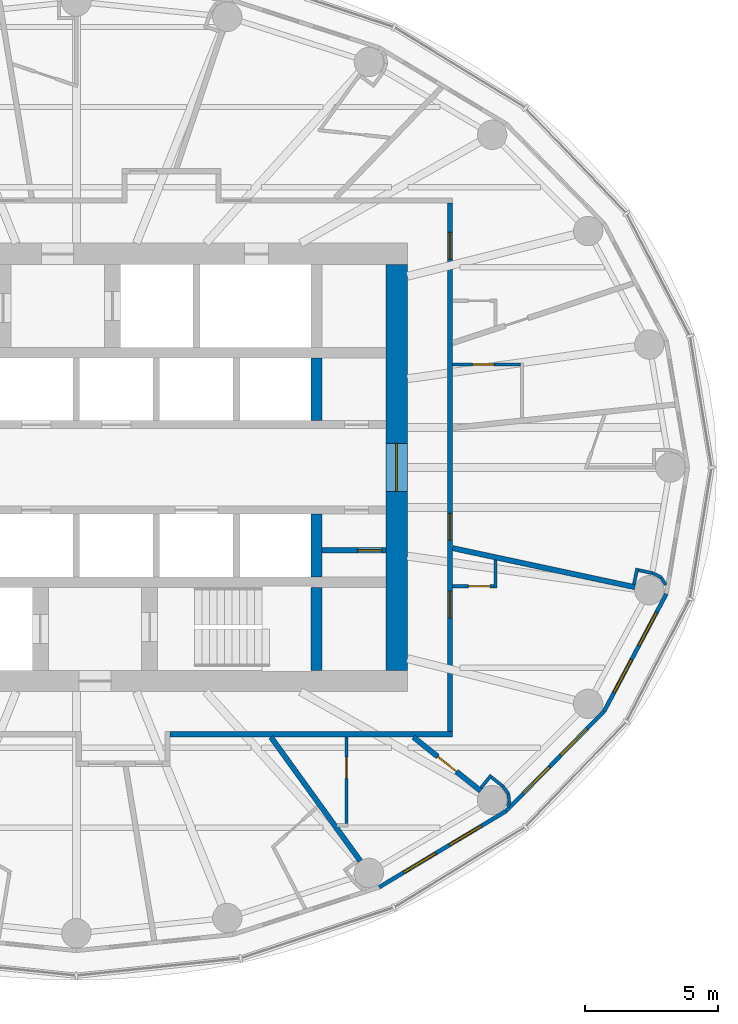
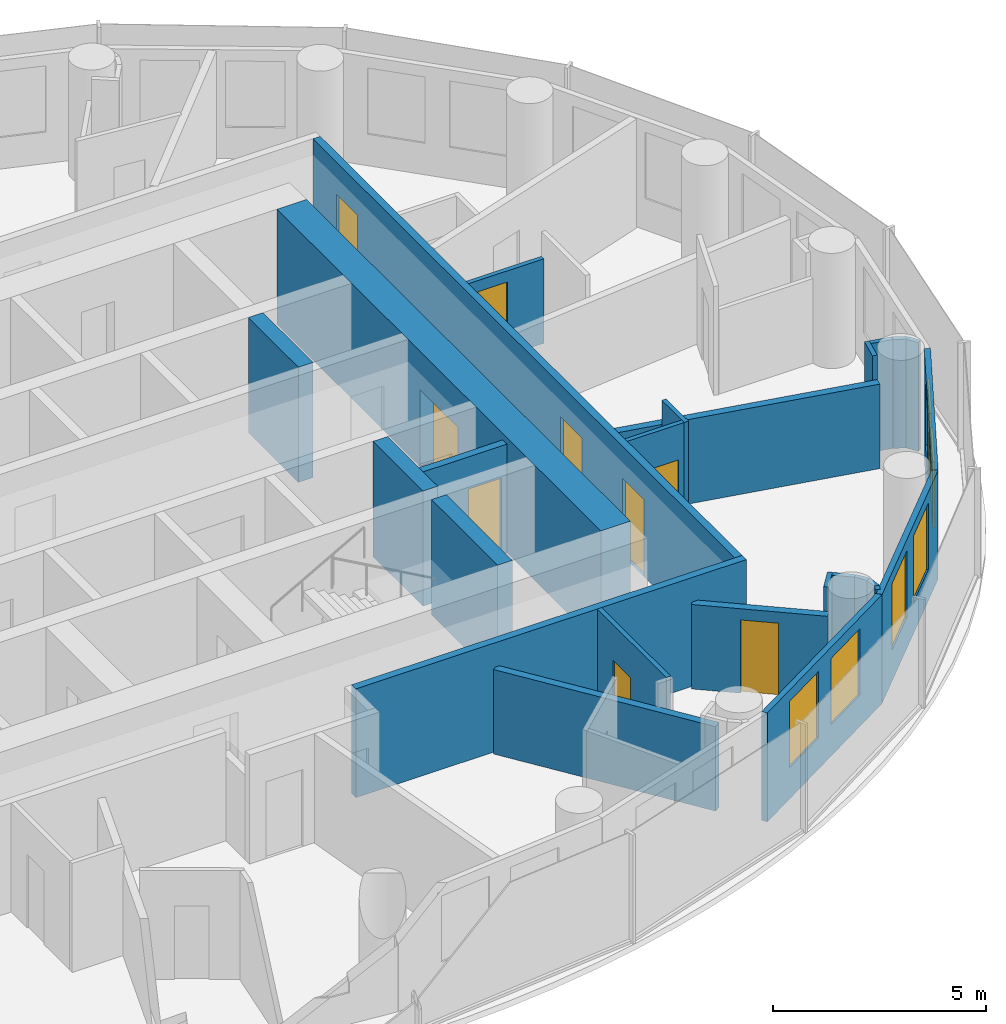
# One storey, part 10 of 14: 26 walls, 9 doors, 6 windows, 15 openings.
"""IFC4 building model written with IfcOpenShell, lengths in metres."""

from ifc_helpers import new_model, si_unit, direction, frame, frame_2d, origin, place, context, subcontext, project, spatial, rectangle, extrude, material, layer, layer_set, type_object, element, fill, save


model = new_model("IFC4")

# Units and contexts
model_context = context("Model", 3, precision=1e-05, world=origin(), true_north=direction((0.0, 1.0)))
body_context = subcontext(model_context, "Body", "Model", "MODEL_VIEW")
ifc_project = project(units=[si_unit("LENGTHUNIT", "METRE"), si_unit("AREAUNIT", "SQUARE_METRE"), si_unit("VOLUMEUNIT", "CUBIC_METRE"), si_unit("PLANEANGLEUNIT", "RADIAN"), si_unit("MASSUNIT", "GRAM", prefix="KILO")], contexts=[model_context])

# Site, building, storey
site_placement = place(None, origin())
site = spatial("IfcSite", under=ifc_project, at=site_placement, CompositionType="ELEMENT")
building_placement = place(site_placement, origin())
building = spatial("IfcBuilding", under=site, at=building_placement, Name="Hankou Lantern Tower", CompositionType="ELEMENT")
storey_placement = place(building_placement, frame((0.0, 0.0, 176.39990234375)))
storey = spatial("IfcBuildingStorey", under=building, at=storey_placement, Name="L47", CompositionType="ELEMENT", Elevation=176.39990234375)

# Wall, opening, door
ifc_material_1 = material(Name="Concrete C60", Category="concrete")
ifc_layer_1 = layer(ifc_material_1, 0.800048828125)
ifc_layer_set_1 = layer_set([ifc_layer_1], Name="Concrete C60")
wall_type_1 = type_object("IfcWallType", Name="CW2 CORE WALL 800", PredefinedType="SHEAR", material=ifc_layer_set_1)
wall_1_placement = place(storey_placement, frame((12.0, -7.60009765625, 0.0), z_axis=(0.0, 0.0, 1.0), x_axis=(0.0, 1.0, 0.0)))
wall_1 = element("IfcWall", 1, at=wall_1_placement, inside=storey, type_object=wall_type_1, Name="Core wall east L47", PredefinedType="SHEAR", context=body_context, shape_type="SweptSolid", body=[
    extrude(rectangle(XDim=15.2001953125, YDim=0.800048828125, at=frame_2d((7.60009765625, 0.0))), origin(), (0.0, 0.0, 1.0), 3.300048828125),
])
opening_1_placement = place(wall_1_placement, frame((6.699951171875, 0.0, 0.0)))
opening_1 = element("IfcOpeningElement", 2, at=opening_1_placement, cuts=wall_1, Name="Opening D6", PredefinedType="OPENING", context=body_context, shape_type="SweptSolid", body=[
    extrude(rectangle(XDim=1.800048828125, YDim=2.199951171875, at=frame_2d((0.89990234375, 1.10009765625))), frame((0.0, 0.409912109375, 0.0), z_axis=(0.0, -1.0, 0.0), x_axis=(1.0, 0.0, 0.0)), (0.0, 0.0, 1.0), 0.820068359375),
])
ifc_material_2 = material(Name="Steel door leaf", Category="steel")
door_type_1 = type_object("IfcDoorType", Name="D6 LIFT LOBBY DOOR 1800X2200", OperationType="DOUBLE_DOOR_DOUBLE_SWING", PredefinedType="DOOR", material=ifc_material_2)
door_1_placement = place(opening_1_placement, origin())
door_1 = element("IfcDoor", 3, at=door_1_placement, inside=storey, type_object=door_type_1, Name="Lift lobby east door", OperationType="DOUBLE_DOOR_DOUBLE_SWING", OverallHeight=2.199951171875, OverallWidth=1.800048828125, PredefinedType="DOOR", context=body_context, shape_type="SweptSolid", body=[
    extrude(rectangle(XDim=1.800048828125, YDim=2.199951171875, at=frame_2d((0.89990234375, 1.10009765625))), frame((0.0, 0.02490234375, 0.0), z_axis=(0.0, -1.0, 0.0), x_axis=(1.0, 0.0, 0.0)), (0.0, 0.0, 1.0), 0.050048828125),
])
fill(opening_1, door_1)

# Walls
ifc_material_3 = material(Name="Concrete C60", Category="concrete")
ifc_layer_2 = layer(ifc_material_3, 0.39990234375)
ifc_layer_set_2 = layer_set([ifc_layer_2], Name="Concrete C60")
wall_type_2 = type_object("IfcWallType", Name="CW4 CORE CROSS WALL 400", PredefinedType="SHEAR", material=ifc_layer_set_2)
for number, where, z_axis, x_axis, name in (
    (4, (9.0, 1.75, 0.0), (0.0, 0.0, 1.0), (0.0, 1.0, 0.0), "Core strip wall L47"),
    (5, (9.0, -4.10009765625, 0.0), (0.0, 0.0, 1.0), (0.0, 1.0, 0.0), "Core strip wall L47"),
):
    element("IfcWall", number, at=place(storey_placement, frame(where, z_axis=z_axis, x_axis=x_axis)), inside=storey, type_object=wall_type_2, Name=name, PredefinedType="SHEAR", context=body_context, shape_type="SweptSolid", body=[
        extrude(rectangle(XDim=2.35009765625, YDim=0.39990234375, at=frame_2d((1.175048828125, 0.0))), origin(), (0.0, 0.0, 1.0), 3.300048828125),
    ])
wall_2_placement = place(storey_placement, frame((9.0, -7.60009765625, 0.0), z_axis=(0.0, 0.0, 1.0), x_axis=(0.0, 1.0, 0.0)))
element("IfcWall", 6, at=wall_2_placement, inside=storey, type_object=wall_type_2, Name="Core strip wall L47", PredefinedType="SHEAR", context=body_context, shape_type="SweptSolid", body=[
    extrude(rectangle(XDim=3.10009765625, YDim=0.39990234375, at=frame_2d((1.550048828125, 0.0))), origin(), (0.0, 0.0, 1.0), 3.300048828125),
])

# Wall, openings, windows
ifc_material_4 = material(Name="Aluminium spandrel panel on steel studs", Category="steel")
ifc_layer_3 = layer(ifc_material_4, 0.14990234375)
ifc_layer_set_3 = layer_set([ifc_layer_3], Name="Aluminium spandrel panel on steel studs")
wall_type_3 = type_object("IfcWallType", Name="EW1 INNER SKIN WALL 150", PredefinedType="ELEMENTEDWALL", material=ifc_layer_set_3)
wall_3_placement = place(storey_placement, frame((11.346435546875, -15.72216796875, 0.0), z_axis=(0.0, 0.0, 1.0), x_axis=(0.857695199231, 0.514158482587, 0.0)))
wall_3 = element("IfcWall", 7, at=wall_3_placement, inside=storey, type_object=wall_type_3, Name="Inner skin R21-R22 L47", PredefinedType="ELEMENTEDWALL", context=body_context, shape_type="SweptSolid", body=[
    extrude(rectangle(XDim=5.5361328125, YDim=0.14990234375, at=frame_2d((2.76806640625, 0.0))), origin(), (0.0, 0.0, 1.0), 3.1201171875),
])
opening_2_placement = place(wall_3_placement, frame((1.068115234375, 0.0, 0.89990234375)))
opening_2 = element("IfcOpeningElement", 8, at=opening_2_placement, cuts=wall_3, Name="Opening W3", PredefinedType="OPENING", context=body_context, shape_type="SweptSolid", body=[
    extrude(rectangle(XDim=1.39990234375, YDim=1.89990234375, at=frame_2d((0.699951171875, 0.949951171875))), frame((0.0, 0.0849609375, 0.0), z_axis=(0.0, -1.0, 0.0), x_axis=(1.0, 0.0, 0.0)), (0.0, 0.0, 1.0), 0.169921875),
])
opening_3_placement = place(wall_3_placement, frame((3.068115234375, 0.0, 0.89990234375)))
opening_3 = element("IfcOpeningElement", 9, at=opening_3_placement, cuts=wall_3, Name="Opening W3", PredefinedType="OPENING", context=body_context, shape_type="SweptSolid", body=[
    extrude(rectangle(XDim=1.39990234375, YDim=1.89990234375, at=frame_2d((0.699951171875, 0.949951171875))), frame((0.0, 0.0849609375, 0.0), z_axis=(0.0, -1.0, 0.0), x_axis=(1.0, 0.0, 0.0)), (0.0, 0.0, 1.0), 0.169921875),
])
ifc_material_5 = material(Name="Aluminium framed double glazed window", Category="aluminium")
window_type = type_object("IfcWindowType", Name="W3 GUEST ROOM WINDOW 1400X1900", PartitioningType="DOUBLE_PANEL_VERTICAL", PredefinedType="WINDOW", material=ifc_material_5)
window_1_placement = place(opening_2_placement, origin())
window_1 = element("IfcWindow", 10, at=window_1_placement, inside=storey, type_object=window_type, Name="Window R21.1 L47", OverallHeight=1.89990234375, OverallWidth=1.39990234375, PartitioningType="SINGLE_PANEL", PredefinedType="WINDOW", context=body_context, shape_type="SweptSolid", body=[
    extrude(rectangle(XDim=1.39990234375, YDim=1.89990234375, at=frame_2d((0.699951171875, 0.949951171875))), frame((0.0, 0.030029296875, 0.0), z_axis=(0.0, -1.0, 0.0), x_axis=(1.0, 0.0, 0.0)), (0.0, 0.0, 1.0), 0.06005859375),
])
fill(opening_2, window_1)
window_2_placement = place(opening_3_placement, origin())
window_2 = element("IfcWindow", 11, at=window_2_placement, inside=storey, type_object=window_type, Name="Window R21.2 L47", OverallHeight=1.89990234375, OverallWidth=1.39990234375, PartitioningType="SINGLE_PANEL", PredefinedType="WINDOW", context=body_context, shape_type="SweptSolid", body=[
    extrude(rectangle(XDim=1.39990234375, YDim=1.89990234375, at=frame_2d((0.699951171875, 0.949951171875))), frame((0.0, 0.030029296875, 0.0), z_axis=(0.0, -1.0, 0.0), x_axis=(1.0, 0.0, 0.0)), (0.0, 0.0, 1.0), 0.06005859375),
])
fill(opening_3, window_2)

wall_4_placement = place(storey_placement, frame((16.0947265625, -12.875732421875, 0.0), z_axis=(0.0, 0.0, 1.0), x_axis=(0.700727467776, 0.71342905457, 0.0)))
wall_4 = element("IfcWall", 12, at=wall_4_placement, inside=storey, type_object=wall_type_3, Name="Inner skin R22-R23 L47", PredefinedType="ELEMENTEDWALL", context=body_context, shape_type="SweptSolid", body=[
    extrude(rectangle(XDim=5.247314453125, YDim=0.14990234375, at=frame_2d((2.62353515625, 0.0))), origin(), (0.0, 0.0, 1.0), 3.1201171875),
])
opening_4_placement = place(wall_4_placement, frame((0.923583984375, 0.0, 0.89990234375)))
opening_4 = element("IfcOpeningElement", 13, at=opening_4_placement, cuts=wall_4, Name="Opening W3", PredefinedType="OPENING", context=body_context, shape_type="SweptSolid", body=[
    extrude(rectangle(XDim=1.39990234375, YDim=1.89990234375, at=frame_2d((0.699951171875, 0.949951171875))), frame((0.0, 0.0849609375, 0.0), z_axis=(0.0, -1.0, 0.0), x_axis=(1.0, 0.0, 0.0)), (0.0, 0.0, 1.0), 0.169921875),
])
opening_5_placement = place(wall_4_placement, frame((2.923583984375, 0.0, 0.89990234375)))
opening_5 = element("IfcOpeningElement", 14, at=opening_5_placement, cuts=wall_4, Name="Opening W3", PredefinedType="OPENING", context=body_context, shape_type="SweptSolid", body=[
    extrude(rectangle(XDim=1.39990234375, YDim=1.89990234375, at=frame_2d((0.699951171875, 0.949951171875))), frame((0.0, 0.0849609375, 0.0), z_axis=(0.0, -1.0, 0.0), x_axis=(1.0, 0.0, 0.0)), (0.0, 0.0, 1.0), 0.169921875),
])
window_3_placement = place(opening_4_placement, origin())
window_3 = element("IfcWindow", 15, at=window_3_placement, inside=storey, type_object=window_type, Name="Window R22.1 L47", OverallHeight=1.89990234375, OverallWidth=1.39990234375, PartitioningType="SINGLE_PANEL", PredefinedType="WINDOW", context=body_context, shape_type="SweptSolid", body=[
    extrude(rectangle(XDim=1.39990234375, YDim=1.89990234375, at=frame_2d((0.699951171875, 0.949951171875))), frame((0.0, 0.030029296875, 0.0), z_axis=(0.0, -1.0, 0.0), x_axis=(1.0, 0.0, 0.0)), (0.0, 0.0, 1.0), 0.06005859375),
])
fill(opening_4, window_3)
window_4_placement = place(opening_5_placement, origin())
window_4 = element("IfcWindow", 16, at=window_4_placement, inside=storey, type_object=window_type, Name="Window R22.2 L47", OverallHeight=1.89990234375, OverallWidth=1.39990234375, PartitioningType="SINGLE_PANEL", PredefinedType="WINDOW", context=body_context, shape_type="SweptSolid", body=[
    extrude(rectangle(XDim=1.39990234375, YDim=1.89990234375, at=frame_2d((0.699951171875, 0.949951171875))), frame((0.0, 0.030029296875, 0.0), z_axis=(0.0, -1.0, 0.0), x_axis=(1.0, 0.0, 0.0)), (0.0, 0.0, 1.0), 0.06005859375),
])
fill(opening_5, window_4)

wall_5_placement = place(storey_placement, frame((19.771728515625, -9.132080078125, 0.0), z_axis=(0.0, 0.0, 1.0), x_axis=(0.468428906714, 0.883501193748, 0.0)))
wall_5 = element("IfcWall", 17, at=wall_5_placement, inside=storey, type_object=wall_type_3, Name="Inner skin R23-R24 L47", PredefinedType="ELEMENTEDWALL", context=body_context, shape_type="SweptSolid", body=[
    extrude(rectangle(XDim=4.9736328125, YDim=0.14990234375, at=frame_2d((2.48681640625, 0.0))), origin(), (0.0, 0.0, 1.0), 3.1201171875),
])
opening_6_placement = place(wall_5_placement, frame((0.786865234375, 0.0, 0.89990234375)))
opening_6 = element("IfcOpeningElement", 18, at=opening_6_placement, cuts=wall_5, Name="Opening W3", PredefinedType="OPENING", context=body_context, shape_type="SweptSolid", body=[
    extrude(rectangle(XDim=1.39990234375, YDim=1.89990234375, at=frame_2d((0.699951171875, 0.949951171875))), frame((0.0, 0.0849609375, 0.0), z_axis=(0.0, -1.0, 0.0), x_axis=(1.0, 0.0, 0.0)), (0.0, 0.0, 1.0), 0.169921875),
])
opening_7_placement = place(wall_5_placement, frame((2.786865234375, 0.0, 0.89990234375)))
opening_7 = element("IfcOpeningElement", 19, at=opening_7_placement, cuts=wall_5, Name="Opening W3", PredefinedType="OPENING", context=body_context, shape_type="SweptSolid", body=[
    extrude(rectangle(XDim=1.39990234375, YDim=1.89990234375, at=frame_2d((0.699951171875, 0.949951171875))), frame((0.0, 0.0849609375, 0.0), z_axis=(0.0, -1.0, 0.0), x_axis=(1.0, 0.0, 0.0)), (0.0, 0.0, 1.0), 0.169921875),
])
window_5_placement = place(opening_6_placement, origin())
window_5 = element("IfcWindow", 20, at=window_5_placement, inside=storey, type_object=window_type, Name="Window R23.1 L47", OverallHeight=1.89990234375, OverallWidth=1.39990234375, PartitioningType="SINGLE_PANEL", PredefinedType="WINDOW", context=body_context, shape_type="SweptSolid", body=[
    extrude(rectangle(XDim=1.39990234375, YDim=1.89990234375, at=frame_2d((0.699951171875, 0.949951171875))), frame((0.0, 0.030029296875, 0.0), z_axis=(0.0, -1.0, 0.0), x_axis=(1.0, 0.0, 0.0)), (0.0, 0.0, 1.0), 0.06005859375),
])
fill(opening_6, window_5)
window_6_placement = place(opening_7_placement, origin())
window_6 = element("IfcWindow", 21, at=window_6_placement, inside=storey, type_object=window_type, Name="Window R23.2 L47", OverallHeight=1.89990234375, OverallWidth=1.39990234375, PartitioningType="SINGLE_PANEL", PredefinedType="WINDOW", context=body_context, shape_type="SweptSolid", body=[
    extrude(rectangle(XDim=1.39990234375, YDim=1.89990234375, at=frame_2d((0.699951171875, 0.949951171875))), frame((0.0, 0.030029296875, 0.0), z_axis=(0.0, -1.0, 0.0), x_axis=(1.0, 0.0, 0.0)), (0.0, 0.0, 1.0), 0.06005859375),
])
fill(opening_7, window_6)

# Walls
ifc_material_6 = material(Name="Masonry lightweight concrete block", Category="masonry")
ifc_layer_4 = layer(ifc_material_6, 0.199951171875)
ifc_layer_set_4 = layer_set([ifc_layer_4], Name="Masonry lightweight concrete block")
wall_type_4 = type_object("IfcWallType", Name="IW1 GUEST ROOM PARTY WALL 200", PredefinedType="PARTITIONING", material=ifc_layer_set_4)
wall_6_placement = place(storey_placement, frame((7.2890625, -10.10009765625, 0.0), z_axis=(0.0, 0.0, 1.0), x_axis=(0.585222595178, -0.810872686735, 0.0)))
element("IfcWall", 22, at=wall_6_placement, inside=storey, type_object=wall_type_4, Name="Party wall R21", PredefinedType="PARTITIONING", context=body_context, shape_type="SweptSolid", body=[
    extrude(rectangle(XDim=5.722412109375, YDim=0.199951171875, at=frame_2d((2.861328125, 0.0))), origin(), (0.0, 0.0, 1.0), 2.420166015625),
])
wall_7_placement = place(storey_placement, frame((14.10009765625, -3.0224609375, 0.0), z_axis=(0.0, 0.0, 1.0), x_axis=(0.977790639684, -0.209584028367, 0.0)))
element("IfcWall", 23, at=wall_7_placement, inside=storey, type_object=wall_type_4, Name="Party wall R24", PredefinedType="PARTITIONING", context=body_context, shape_type="SweptSolid", body=[
    extrude(rectangle(XDim=6.97998046875, YDim=0.199951171875, at=frame_2d((3.489990234375, 0.0))), origin(), (0.0, 0.0, 1.0), 2.420166015625),
])

# Wall, openings, doors
ifc_material_7 = material(Name="Masonry lightweight concrete block", Category="masonry")
ifc_layer_5 = layer(ifc_material_7, 0.199951171875)
ifc_layer_set_5 = layer_set([ifc_layer_5], Name="Masonry lightweight concrete block")
wall_type_5 = type_object("IfcWallType", Name="IW2 CORRIDOR WALL 200", PredefinedType="PARTITIONING", material=ifc_layer_set_5)
wall_8_placement = place(storey_placement, frame((14.0, -9.89990234375, 0.0), z_axis=(0.0, 0.0, 1.0), x_axis=(0.0, 1.0, 0.0)))
wall_8 = element("IfcWall", 24, at=wall_8_placement, inside=storey, type_object=wall_type_5, Name="Corridor wall east", PredefinedType="PARTITIONING", context=body_context, shape_type="SweptSolid", body=[
    extrude(rectangle(XDim=19.7998046875, YDim=0.199951171875, at=frame_2d((9.89990234375, 0.0))), origin(), (0.0, 0.0, 1.0), 3.1201171875),
])
opening_8_placement = place(wall_8_placement, frame((4.267578125, 0.0, 0.0)))
opening_8 = element("IfcOpeningElement", 25, at=opening_8_placement, cuts=wall_8, Name="Opening D2", PredefinedType="OPENING", context=body_context, shape_type="SweptSolid", body=[
    extrude(rectangle(XDim=1.0, YDim=2.199951171875, at=frame_2d((0.5, 1.10009765625))), frame((0.0, 0.10986328125, 0.0), z_axis=(0.0, -1.0, 0.0), x_axis=(1.0, 0.0, 0.0)), (0.0, 0.0, 1.0), 0.219970703125),
])
opening_9_placement = place(wall_8_placement, frame((7.177490234375, 0.0, 0.0)))
opening_9 = element("IfcOpeningElement", 26, at=opening_9_placement, cuts=wall_8, Name="Opening D1", PredefinedType="OPENING", context=body_context, shape_type="SweptSolid", body=[
    extrude(rectangle(XDim=1.0, YDim=2.199951171875, at=frame_2d((0.5, 1.10009765625))), frame((0.0, 0.10986328125, 0.0), z_axis=(0.0, -1.0, 0.0), x_axis=(1.0, 0.0, 0.0)), (0.0, 0.0, 1.0), 0.219970703125),
])
opening_10_placement = place(wall_8_placement, frame((17.701416015625, 0.0, 0.0)))
opening_10 = element("IfcOpeningElement", 27, at=opening_10_placement, cuts=wall_8, Name="Opening D2", PredefinedType="OPENING", context=body_context, shape_type="SweptSolid", body=[
    extrude(rectangle(XDim=1.0, YDim=2.199951171875, at=frame_2d((0.5, 1.10009765625))), frame((0.0, 0.10986328125, 0.0), z_axis=(0.0, -1.0, 0.0), x_axis=(1.0, 0.0, 0.0)), (0.0, 0.0, 1.0), 0.219970703125),
])
ifc_material_8 = material(Name="Steel door leaf", Category="steel")
door_type_2 = type_object("IfcDoorType", Name="D1 GUEST ROOM DOOR 1000X2200", OperationType="SINGLE_SWING_LEFT", PredefinedType="DOOR", material=ifc_material_8)
door_2_placement = place(opening_9_placement, origin())
door_2 = element("IfcDoor", 28, at=door_2_placement, inside=storey, type_object=door_type_2, Name="Guest room door 4706", OperationType="SINGLE_SWING_LEFT", OverallHeight=2.199951171875, OverallWidth=1.0, PredefinedType="DOOR", context=body_context, shape_type="SweptSolid", body=[
    extrude(rectangle(XDim=1.0, YDim=2.199951171875, at=frame_2d((0.5, 1.10009765625))), frame((0.0, 0.02490234375, 0.0), z_axis=(0.0, -1.0, 0.0), x_axis=(1.0, 0.0, 0.0)), (0.0, 0.0, 1.0), 0.050048828125),
])
fill(opening_9, door_2)
ifc_material_9 = material(Name="Steel door leaf", Category="steel")
door_type_3 = type_object("IfcDoorType", Name="D2 SUITE DOOR 1000X2200", OperationType="SINGLE_SWING_LEFT", PredefinedType="DOOR", material=ifc_material_9)
door_3_placement = place(opening_8_placement, origin())
door_3 = element("IfcDoor", 29, at=door_3_placement, inside=storey, type_object=door_type_3, Name="Suite door 4705C", OperationType="SINGLE_SWING_LEFT", OverallHeight=2.199951171875, OverallWidth=1.0, PredefinedType="DOOR", context=body_context, shape_type="SweptSolid", body=[
    extrude(rectangle(XDim=1.0, YDim=2.199951171875, at=frame_2d((0.5, 1.10009765625))), frame((0.0, 0.02490234375, 0.0), z_axis=(0.0, -1.0, 0.0), x_axis=(1.0, 0.0, 0.0)), (0.0, 0.0, 1.0), 0.050048828125),
])
fill(opening_8, door_3)
door_4_placement = place(opening_10_placement, origin())
door_4 = element("IfcDoor", 30, at=door_4_placement, inside=storey, type_object=door_type_3, Name="Suite door 4707C", OperationType="SINGLE_SWING_RIGHT", OverallHeight=2.199951171875, OverallWidth=1.0, PredefinedType="DOOR", context=body_context, shape_type="SweptSolid", body=[
    extrude(rectangle(XDim=1.0, YDim=2.199951171875, at=frame_2d((0.5, 1.10009765625))), frame((0.0, 0.02490234375, 0.0), z_axis=(0.0, -1.0, 0.0), x_axis=(1.0, 0.0, 0.0)), (0.0, 0.0, 1.0), 0.050048828125),
])
fill(opening_10, door_4)

# Wall
wall_9_placement = place(storey_placement, frame((14.10009765625, -10.0, 0.0), z_axis=(0.0, 0.0, 1.0), x_axis=(-1.0, 0.0, 0.0)))
element("IfcWall", 31, at=wall_9_placement, inside=storey, type_object=wall_type_5, Name="Corridor wall south", PredefinedType="PARTITIONING", context=body_context, shape_type="SweptSolid", body=[
    extrude(rectangle(XDim=10.58203125, YDim=0.199951171875, at=frame_2d((5.291015625, 0.0))), origin(), (0.0, 0.0, 1.0), 3.1201171875),
])

# Wall, opening, door
ifc_material_10 = material(Name="Masonry lightweight concrete block", Category="masonry")
ifc_layer_6 = layer(ifc_material_10, 0.1201171875)
ifc_layer_set_6 = layer_set([ifc_layer_6], Name="Masonry lightweight concrete block")
wall_type_6 = type_object("IfcWallType", Name="IW3 BATHROOM WALL 120", PredefinedType="PARTITIONING", material=ifc_layer_set_6)
wall_10_placement = place(storey_placement, frame((10.119140625, -10.10009765625, 0.0), z_axis=(0.0, 0.0, 1.0), x_axis=(0.0, -1.0, 0.0)))
wall_10 = element("IfcWall", 32, at=wall_10_placement, inside=storey, type_object=wall_type_6, Name="Box wall 4705A 1", PredefinedType="PARTITIONING", context=body_context, shape_type="SweptSolid", body=[
    extrude(rectangle(XDim=3.239990234375, YDim=0.1201171875, at=frame_2d((1.6201171875, 0.0))), origin(), (0.0, 0.0, 1.0), 3.1201171875),
])
opening_11_placement = place(wall_10_placement, frame((0.75, 0.0, 0.0)))
opening_11 = element("IfcOpeningElement", 33, at=opening_11_placement, cuts=wall_10, Name="Opening D3", PredefinedType="OPENING", context=body_context, shape_type="SweptSolid", body=[
    extrude(rectangle(XDim=0.800048828125, YDim=2.10009765625, at=frame_2d((0.39990234375, 1.050048828125))), frame((0.0, 0.070068359375, 0.0), z_axis=(0.0, -1.0, 0.0), x_axis=(1.0, 0.0, 0.0)), (0.0, 0.0, 1.0), 0.14013671875),
])
ifc_material_11 = material(Name="Timber door leaf", Category="wood")
door_type_4 = type_object("IfcDoorType", Name="D3 BATHROOM DOOR 800X2100", OperationType="SINGLE_SWING_LEFT", PredefinedType="DOOR", material=ifc_material_11)
door_5_placement = place(opening_11_placement, origin())
door_5 = element("IfcDoor", 34, at=door_5_placement, inside=storey, type_object=door_type_4, Name="Corner suite 4705 bathroom door", OperationType="SINGLE_SWING_LEFT", OverallHeight=2.10009765625, OverallWidth=0.800048828125, PredefinedType="DOOR", context=body_context, shape_type="SweptSolid", body=[
    extrude(rectangle(XDim=0.800048828125, YDim=2.10009765625, at=frame_2d((0.39990234375, 1.050048828125))), frame((0.0, 0.02490234375, 0.0), z_axis=(0.0, -1.0, 0.0), x_axis=(1.0, 0.0, 0.0)), (0.0, 0.0, 1.0), 0.050048828125),
])
fill(opening_11, door_5)

# Wall
wall_11_placement = place(storey_placement, frame((15.699951171875, -3.46533203125, 0.0), z_axis=(0.0, 0.0, 1.0), x_axis=(0.0, -1.0, 0.0)))
element("IfcWall", 35, at=wall_11_placement, inside=storey, type_object=wall_type_6, Name="Box wall 4705C 1", PredefinedType="PARTITIONING", context=body_context, shape_type="SweptSolid", body=[
    extrude(rectangle(XDim=1.047119140625, YDim=0.1201171875, at=frame_2d((0.5234375, 0.0))), origin(), (0.0, 0.0, 1.0), 3.1201171875),
])

# Wall, opening, door
wall_12_placement = place(storey_placement, frame((14.10009765625, -4.452392578125, 0.0), z_axis=(0.0, 0.0, 1.0), x_axis=(1.0, 0.0, 0.0)))
wall_12 = element("IfcWall", 36, at=wall_12_placement, inside=storey, type_object=wall_type_6, Name="Box wall 4705C 1", PredefinedType="PARTITIONING", context=body_context, shape_type="SweptSolid", body=[
    extrude(rectangle(XDim=1.539794921875, YDim=0.1201171875, at=frame_2d((0.77001953125, 0.0))), origin(), (0.0, 0.0, 1.0), 3.1201171875),
])
opening_12_placement = place(wall_12_placement, frame((0.590087890625, 0.0, 0.0)))
opening_12 = element("IfcOpeningElement", 37, at=opening_12_placement, cuts=wall_12, Name="Opening D3", PredefinedType="OPENING", context=body_context, shape_type="SweptSolid", body=[
    extrude(rectangle(XDim=0.800048828125, YDim=2.10009765625, at=frame_2d((0.39990234375, 1.050048828125))), frame((0.0, 0.070068359375, 0.0), z_axis=(0.0, -1.0, 0.0), x_axis=(1.0, 0.0, 0.0)), (0.0, 0.0, 1.0), 0.14013671875),
])
door_6_placement = place(opening_12_placement, origin())
door_6 = element("IfcDoor", 38, at=door_6_placement, inside=storey, type_object=door_type_4, Name="Corner suite 4705 guest WC door", OperationType="SINGLE_SWING_RIGHT", OverallHeight=2.10009765625, OverallWidth=0.800048828125, PredefinedType="DOOR", context=body_context, shape_type="SweptSolid", body=[
    extrude(rectangle(XDim=0.800048828125, YDim=2.10009765625, at=frame_2d((0.39990234375, 1.050048828125))), frame((0.0, 0.02490234375, 0.0), z_axis=(0.0, -1.0, 0.0), x_axis=(1.0, 0.0, 0.0)), (0.0, 0.0, 1.0), 0.050048828125),
])
fill(opening_12, door_6)

wall_13_placement = place(storey_placement, frame((14.10009765625, 3.861572265625, 0.0), z_axis=(0.0, 0.0, 1.0), x_axis=(1.0, 0.0, 0.0)))
wall_13 = element("IfcWall", 39, at=wall_13_placement, inside=storey, type_object=wall_type_6, Name="Box wall 4707A 1", PredefinedType="PARTITIONING", context=body_context, shape_type="SweptSolid", body=[
    extrude(rectangle(XDim=2.539794921875, YDim=0.1201171875, at=frame_2d((1.27001953125, 0.0))), origin(), (0.0, 0.0, 1.0), 2.420166015625),
])
opening_13_placement = place(wall_13_placement, frame((0.75, 0.0, 0.0)))
opening_13 = element("IfcOpeningElement", 40, at=opening_13_placement, cuts=wall_13, Name="Opening D3", PredefinedType="OPENING", context=body_context, shape_type="SweptSolid", body=[
    extrude(rectangle(XDim=0.800048828125, YDim=2.10009765625, at=frame_2d((0.39990234375, 1.050048828125))), frame((0.0, 0.070068359375, 0.0), z_axis=(0.0, -1.0, 0.0), x_axis=(1.0, 0.0, 0.0)), (0.0, 0.0, 1.0), 0.14013671875),
])
door_7_placement = place(opening_13_placement, origin())
door_7 = element("IfcDoor", 41, at=door_7_placement, inside=storey, type_object=door_type_4, Name="Corner suite 4707 bathroom door", OperationType="SINGLE_SWING_LEFT", OverallHeight=2.10009765625, OverallWidth=0.800048828125, PredefinedType="DOOR", context=body_context, shape_type="SweptSolid", body=[
    extrude(rectangle(XDim=0.800048828125, YDim=2.10009765625, at=frame_2d((0.39990234375, 1.050048828125))), frame((0.0, 0.02490234375, 0.0), z_axis=(0.0, -1.0, 0.0), x_axis=(1.0, 0.0, 0.0)), (0.0, 0.0, 1.0), 0.050048828125),
])
fill(opening_13, door_7)

# Walls
ifc_material_12 = material(Name="Masonry lightweight concrete block", Category="masonry")
ifc_layer_7 = layer(ifc_material_12, 0.1201171875)
ifc_layer_set_7 = layer_set([ifc_layer_7], Name="Masonry lightweight concrete block")
wall_type_7 = type_object("IfcWallType", Name="IW4 PARTITION 120", PredefinedType="PARTITIONING", material=ifc_layer_set_7)
wall_14_placement = place(storey_placement, frame((15.162353515625, -12.001708984375, 0.0), z_axis=(0.0, 0.0, 1.0), x_axis=(0.624597762427, 0.780946627607, 0.0)))
element("IfcWall", 42, at=wall_14_placement, inside=storey, type_object=wall_type_7, Name="Column casing R22 return", PredefinedType="PARTITIONING", context=body_context, shape_type="SweptSolid", body=[
    extrude(rectangle(XDim=0.612060546875, YDim=0.1201171875, at=frame_2d((0.30615234375, 0.0))), origin(), (0.0, 0.0, 1.0), 3.1201171875),
])
wall_15_placement = place(storey_placement, frame((15.55419921875, -11.60791015625, 0.0), z_axis=(0.0, 0.0, 1.0), x_axis=(0.780695577787, -0.624911525597, 0.0)))
element("IfcWall", 43, at=wall_15_placement, inside=storey, type_object=wall_type_7, Name="Column casing R22", PredefinedType="PARTITIONING", context=body_context, shape_type="SweptSolid", body=[
    extrude(rectangle(XDim=0.550048828125, YDim=0.1201171875, at=frame_2d((0.27490234375, 0.0))), origin(), (0.0, 0.0, 1.0), 3.1201171875),
])
wall_16_placement = place(storey_placement, frame((15.983642578125, -11.95166015625, 0.0), z_axis=(0.0, 0.0, 1.0), x_axis=(0.592335221171, -0.805691619517, 0.0)))
element("IfcWall", 44, at=wall_16_placement, inside=storey, type_object=wall_type_7, Name="Column casing R22", PredefinedType="PARTITIONING", context=body_context, shape_type="SweptSolid", body=[
    extrude(rectangle(XDim=0.337646484375, YDim=0.1201171875, at=frame_2d((0.1689453125, 0.0))), origin(), (0.0, 0.0, 1.0), 3.1201171875),
])
wall_17_placement = place(storey_placement, frame((16.18359375, -12.2236328125, 0.0), z_axis=(0.0, 0.0, 1.0), x_axis=(0.110669692975, -0.993857242795, 0.0)))
element("IfcWall", 45, at=wall_17_placement, inside=storey, type_object=wall_type_7, Name="Column casing R22", PredefinedType="PARTITIONING", context=body_context, shape_type="SweptSolid", body=[
    extrude(rectangle(XDim=0.33740234375, YDim=0.1201171875, at=frame_2d((0.168701171875, 0.0))), origin(), (0.0, 0.0, 1.0), 3.1201171875),
])
wall_18_placement = place(storey_placement, frame((16.220947265625, -12.55908203125, 0.0), z_axis=(0.0, 0.0, 1.0), x_axis=(-0.401064416249, -0.916049853457, 0.0)))
element("IfcWall", 46, at=wall_18_placement, inside=storey, type_object=wall_type_7, Name="Column casing R22", PredefinedType="PARTITIONING", context=body_context, shape_type="SweptSolid", body=[
    extrude(rectangle(XDim=0.156494140625, YDim=0.1201171875, at=frame_2d((0.078125, 0.0))), origin(), (0.0, 0.0, 1.0), 3.1201171875),
])
wall_19_placement = place(storey_placement, frame((20.88720703125, -4.375, 0.0), z_axis=(0.0, 0.0, 1.0), x_axis=(0.209746941802, 0.977755705892, 0.0)))
element("IfcWall", 47, at=wall_19_placement, inside=storey, type_object=wall_type_7, Name="Column casing R24 return", PredefinedType="PARTITIONING", context=body_context, shape_type="SweptSolid", body=[
    extrude(rectangle(XDim=0.6123046875, YDim=0.1201171875, at=frame_2d((0.30615234375, 0.0))), origin(), (0.0, 0.0, 1.0), 3.1201171875),
])
wall_20_placement = place(storey_placement, frame((21.061767578125, -3.84765625, 0.0), z_axis=(0.0, 0.0, 1.0), x_axis=(0.977789415726, -0.209589738521, 0.0)))
element("IfcWall", 48, at=wall_20_placement, inside=storey, type_object=wall_type_7, Name="Column casing R24", PredefinedType="PARTITIONING", context=body_context, shape_type="SweptSolid", body=[
    extrude(rectangle(XDim=0.5498046875, YDim=0.1201171875, at=frame_2d((0.27490234375, 0.0))), origin(), (0.0, 0.0, 1.0), 3.1201171875),
])
wall_21_placement = place(storey_placement, frame((21.599365234375, -3.962890625, 0.0), z_axis=(0.0, 0.0, 1.0), x_axis=(0.890193602875, -0.455582428766, 0.0)))
element("IfcWall", 49, at=wall_21_placement, inside=storey, type_object=wall_type_7, Name="Column casing R24", PredefinedType="PARTITIONING", context=body_context, shape_type="SweptSolid", body=[
    extrude(rectangle(XDim=0.337646484375, YDim=0.1201171875, at=frame_2d((0.1689453125, 0.0))), origin(), (0.0, 0.0, 1.0), 3.1201171875),
])
wall_22_placement = place(storey_placement, frame((21.89990234375, -4.11669921875, 0.0), z_axis=(0.0, 0.0, 1.0), x_axis=(0.543582688681, -0.839355622228, 0.0)))
element("IfcWall", 50, at=wall_22_placement, inside=storey, type_object=wall_type_7, Name="Column casing R24", PredefinedType="PARTITIONING", context=body_context, shape_type="SweptSolid", body=[
    extrude(rectangle(XDim=0.3359375, YDim=0.1201171875, at=frame_2d((0.16796875, 0.0))), origin(), (0.0, 0.0, 1.0), 3.1201171875),
])

# Wall, opening, door
ifc_material_13 = material(Name="Masonry lightweight concrete block", Category="masonry")
ifc_layer_8 = layer(ifc_material_13, 0.199951171875)
ifc_layer_set_8 = layer_set([ifc_layer_8], Name="Masonry lightweight concrete block")
wall_type_8 = type_object("IfcWallType", Name="IW6 SUITE PARTITION 200", PredefinedType="PARTITIONING", material=ifc_layer_set_8)
wall_23_placement = place(storey_placement, frame((12.625, -10.10009765625, 0.0), z_axis=(0.0, 0.0, 1.0), x_axis=(0.780876185034, -0.624685827954, 0.0)))
wall_23 = element("IfcWall", 51, at=wall_23_placement, inside=storey, type_object=wall_type_8, Name="Suite partition R22", PredefinedType="PARTITIONING", context=body_context, shape_type="SweptSolid", body=[
    extrude(rectangle(XDim=3.229248046875, YDim=0.199951171875, at=frame_2d((1.61474609375, 0.0))), origin(), (0.0, 0.0, 1.0), 2.420166015625),
])
opening_14_placement = place(wall_23_placement, frame((1.169921875, 0.0, 0.0)))
opening_14 = element("IfcOpeningElement", 52, at=opening_14_placement, cuts=wall_23, Name="Opening D27", PredefinedType="OPENING", context=body_context, shape_type="SweptSolid", body=[
    extrude(rectangle(XDim=0.89990234375, YDim=2.10009765625, at=frame_2d((0.449951171875, 1.050048828125))), frame((0.0, 0.10986328125, 0.0), z_axis=(0.0, -1.0, 0.0), x_axis=(1.0, 0.0, 0.0)), (0.0, 0.0, 1.0), 0.219970703125),
])
ifc_material_14 = material(Name="Timber door leaf", Category="wood")
door_type_5 = type_object("IfcDoorType", Name="D27 INTERNAL DOOR 900X2100", OperationType="SINGLE_SWING_LEFT", PredefinedType="DOOR", material=ifc_material_14)
door_8_placement = place(opening_14_placement, origin())
door_8 = element("IfcDoor", 53, at=door_8_placement, inside=storey, type_object=door_type_5, Name="Corner suite 4705 living and dining room door", OperationType="SINGLE_SWING_LEFT", OverallHeight=2.10009765625, OverallWidth=0.89990234375, PredefinedType="DOOR", context=body_context, shape_type="SweptSolid", body=[
    extrude(rectangle(XDim=0.89990234375, YDim=2.10009765625, at=frame_2d((0.449951171875, 1.050048828125))), frame((0.0, 0.02490234375, 0.0), z_axis=(0.0, -1.0, 0.0), x_axis=(1.0, 0.0, 0.0)), (0.0, 0.0, 1.0), 0.050048828125),
])
fill(opening_14, door_8)

ifc_material_15 = material(Name="Masonry lightweight concrete block", Category="masonry")
ifc_layer_9 = layer(ifc_material_15, 0.199951171875)
ifc_layer_set_9 = layer_set([ifc_layer_9], Name="Masonry lightweight concrete block")
wall_type_9 = type_object("IfcWallType", Name="IW8 PARTITION 200", PredefinedType="PARTITIONING", material=ifc_layer_set_9)
wall_24_placement = place(storey_placement, frame((9.199951171875, -3.10009765625, 0.0), z_axis=(0.0, 0.0, 1.0), x_axis=(1.0, 0.0, 0.0)))
wall_24 = element("IfcWall", 54, at=wall_24_placement, inside=storey, type_object=wall_type_9, Name="Partition minibar store", PredefinedType="PARTITIONING", context=body_context, shape_type="SweptSolid", body=[
    extrude(rectangle(XDim=2.400146484375, YDim=0.199951171875, at=frame_2d((1.2001953125, 0.0))), origin(), (0.0, 0.0, 1.0), 3.1201171875),
])
opening_15_placement = place(wall_24_placement, frame((1.35009765625, 0.0, 0.0)))
opening_15 = element("IfcOpeningElement", 55, at=opening_15_placement, cuts=wall_24, Name="Opening D12", PredefinedType="OPENING", context=body_context, shape_type="SweptSolid", body=[
    extrude(rectangle(XDim=0.89990234375, YDim=2.199951171875, at=frame_2d((0.449951171875, 1.10009765625))), frame((0.0, 0.10986328125, 0.0), z_axis=(0.0, -1.0, 0.0), x_axis=(1.0, 0.0, 0.0)), (0.0, 0.0, 1.0), 0.219970703125),
])
ifc_material_16 = material(Name="Steel door leaf", Category="steel")
door_type_6 = type_object("IfcDoorType", Name="D12 STORE DOOR 900X2200", OperationType="SINGLE_SWING_LEFT", PredefinedType="DOOR", material=ifc_material_16)
door_9_placement = place(opening_15_placement, origin())
door_9 = element("IfcDoor", 56, at=door_9_placement, inside=storey, type_object=door_type_6, Name="Minibar stock cupboard door", OperationType="SINGLE_SWING_RIGHT", OverallHeight=2.199951171875, OverallWidth=0.89990234375, PredefinedType="DOOR", context=body_context, shape_type="SweptSolid", body=[
    extrude(rectangle(XDim=0.89990234375, YDim=2.199951171875, at=frame_2d((0.449951171875, 1.10009765625))), frame((0.0, 0.02490234375, 0.0), z_axis=(0.0, -1.0, 0.0), x_axis=(1.0, 0.0, 0.0)), (0.0, 0.0, 1.0), 0.050048828125),
])
fill(opening_15, door_9)

save(model, "model.ifc")
